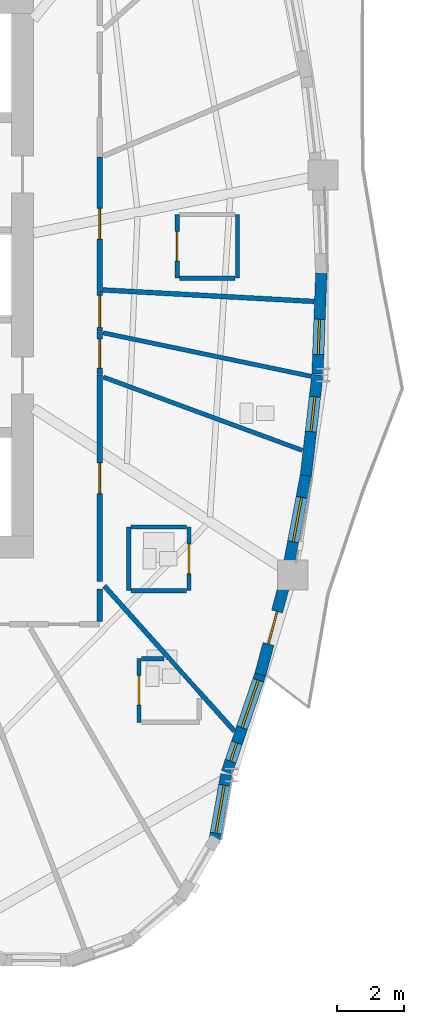
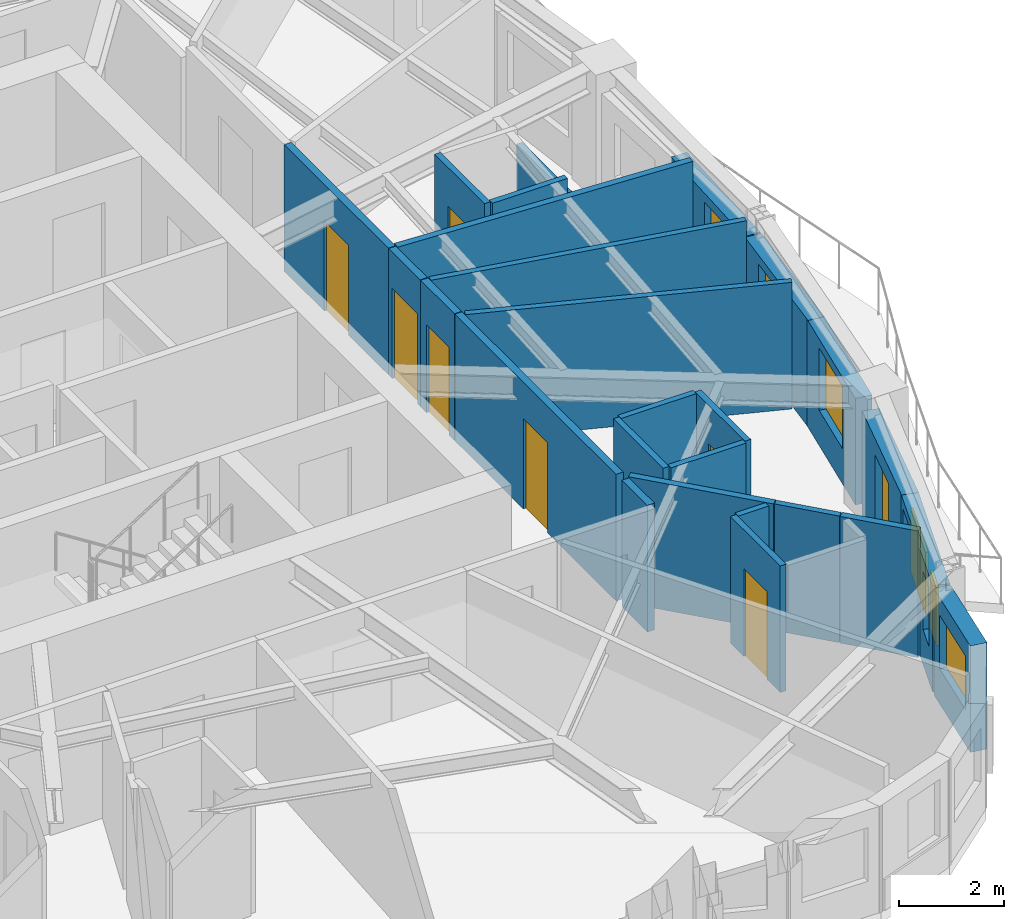
# One storey, part 7 of 13: 26 walls, 8 doors, 6 windows, 14 openings.
"""IFC4 building model written with IfcOpenShell, lengths in metres."""

from ifc_helpers import new_model, si_unit, direction, frame, frame_2d, origin, place, context, subcontext, project, spatial, rectangle, extrude, source, transform, mapped, material, layer, layer_set, type_object, element, fill, save


model = new_model("IFC4")

# Units and contexts
model_context = context("Model", 3, precision=1e-05, world=origin(), true_north=direction((0.0, 1.0)))
body_context = subcontext(model_context, "Body", "Model", "MODEL_VIEW")
ifc_project = project(units=[si_unit("LENGTHUNIT", "METRE"), si_unit("AREAUNIT", "SQUARE_METRE"), si_unit("VOLUMEUNIT", "CUBIC_METRE"), si_unit("PLANEANGLEUNIT", "RADIAN"), si_unit("MASSUNIT", "GRAM", prefix="KILO")], contexts=[model_context])

# Site, building, storey
site_placement = place(None, origin())
site = spatial("IfcSite", under=ifc_project, at=site_placement, CompositionType="ELEMENT")
building_placement = place(site_placement, origin())
building = spatial("IfcBuilding", under=site, at=building_placement, Name="Qafzar Sky-Pleat Residences", CompositionType="ELEMENT")
storey_placement = place(building_placement, frame((0.0, 0.0, 102.39990234375)))
storey = spatial("IfcBuildingStorey", under=building, at=storey_placement, Name="L30", CompositionType="ELEMENT", Elevation=102.39990234375)

# Wall, opening, door
ifc_material_1 = material(Name="Acoustic gypsum plasterboard partition", Category="gypsum")
ifc_layer_1 = layer(ifc_material_1, 0.159912109375)
ifc_layer_set_1 = layer_set([ifc_layer_1], Name="Acoustic gypsum plasterboard partition")
wall_type_1 = type_object("IfcWallType", Name="PART-COR-160", PredefinedType="PARTITIONING", material=ifc_layer_set_1)
wall_1_placement = place(storey_placement, frame((38.530029296875, 23.0048828125, 0.0), z_axis=(0.0, 0.0, 1.0), x_axis=(0.0, -1.0, 0.0)))
wall_1 = element("IfcWall", 1, at=wall_1_placement, inside=storey, type_object=wall_type_1, Name="L30 Partition Wall PART-L30-PW-001", PredefinedType="PARTITIONING", context=body_context, shape_type="SweptSolid", body=[
    extrude(rectangle(XDim=6.156982421875, YDim=0.159912109375, at=frame_2d((3.07861328125, 0.0))), origin(), (0.0, 0.0, 1.0), 2.9501953125),
])
opening_1_placement = place(wall_1_placement, frame((2.615478515625, 0.0, 0.0)))
opening_1 = element("IfcOpeningElement", 2, at=opening_1_placement, cuts=wall_1, Name="Opening ID-04", PredefinedType="OPENING", context=body_context, shape_type="SweptSolid", body=[
    extrude(rectangle(XDim=0.919921875, YDim=2.10009765625, at=frame_2d((0.4599609375, 1.050048828125))), frame((0.0, 0.08984375, 0.0), z_axis=(0.0, -1.0, 0.0), x_axis=(1.0, 0.0, 0.0)), (0.0, 0.0, 1.0), 0.179931640625),
])
ifc_material_2 = material(Name="Timber-faced fire door", Category="wood")
door_type_1 = type_object("IfcDoorType", Name="DR-BED-920", OperationType="NOTDEFINED", PredefinedType="DOOR", material=ifc_material_2)
shared_shape_1 = source(origin(), body_context, "Body", "SweptSolid", [
    extrude(rectangle(XDim=0.919921875, YDim=2.10009765625, at=frame_2d((0.4599609375, 1.050048828125))), frame((0.0, 0.02490234375, 0.0), z_axis=(0.0, -1.0, 0.0), x_axis=(1.0, 0.0, 0.0)), (0.0, 0.0, 1.0), 0.050048828125),
])
door_1_placement = place(opening_1_placement, origin())
door_1 = element("IfcDoor", 3, at=door_1_placement, inside=storey, type_object=door_type_1, Name="L30 Co-Living Bedroom 4 Door", OperationType="SINGLE_SWING_LEFT", OverallHeight=2.10009765625, OverallWidth=0.919921875, PredefinedType="DOOR", context=body_context, shape_type="MappedRepresentation", body=[
    mapped(shared_shape_1, transform((0.0, 0.0, 0.0), x_axis=(1.0, 0.0, 0.0), y_axis=(0.0, 1.0, 0.0), z_axis=(0.0, 0.0, 1.0), scale=1.0)),
])
fill(opening_1, door_1)

wall_2_placement = place(storey_placement, frame((38.530029296875, 29.513916015625, 0.0), z_axis=(0.0, 0.0, 1.0), x_axis=(0.0, -1.0, 0.0)))
wall_2 = element("IfcWall", 4, at=wall_2_placement, inside=storey, type_object=wall_type_1, Name="L30 Partition Wall PART-L30-PW-005", PredefinedType="PARTITIONING", context=body_context, shape_type="SweptSolid", body=[
    extrude(rectangle(XDim=3.973876953125, YDim=0.159912109375, at=frame_2d((1.98681640625, 0.0))), origin(), (0.0, 0.0, 1.0), 2.9501953125),
])
opening_2_placement = place(wall_2_placement, frame((1.528076171875, 0.0, 0.0)))
opening_2 = element("IfcOpeningElement", 5, at=opening_2_placement, cuts=wall_2, Name="Opening ID-04", PredefinedType="OPENING", context=body_context, shape_type="SweptSolid", body=[
    extrude(rectangle(XDim=0.919921875, YDim=2.10009765625, at=frame_2d((0.4599609375, 1.050048828125))), frame((0.0, 0.08984375, 0.0), z_axis=(0.0, -1.0, 0.0), x_axis=(1.0, 0.0, 0.0)), (0.0, 0.0, 1.0), 0.179931640625),
])
door_2_placement = place(opening_2_placement, origin())
door_2 = element("IfcDoor", 6, at=door_2_placement, inside=storey, type_object=door_type_1, Name="L30 Co-Living Bedroom 5 Door", OperationType="SINGLE_SWING_RIGHT", OverallHeight=2.10009765625, OverallWidth=0.919921875, PredefinedType="DOOR", context=body_context, shape_type="MappedRepresentation", body=[
    mapped(shared_shape_1, transform((0.0, 0.0, 0.0), x_axis=(1.0, 0.0, 0.0), y_axis=(0.0, 1.0, 0.0), z_axis=(0.0, 0.0, 1.0), scale=1.0)),
])
fill(opening_2, door_2)

wall_3_placement = place(storey_placement, frame((38.530029296875, 24.305908203125, 0.0), z_axis=(0.0, 0.0, 1.0), x_axis=(0.0, -1.0, 0.0)))
wall_3 = element("IfcWall", 7, at=wall_3_placement, inside=storey, type_object=wall_type_1, Name="L30 Partition Wall PART-L30-PW-029", PredefinedType="PARTITIONING", context=body_context, shape_type="SweptSolid", body=[
    extrude(rectangle(XDim=1.285888671875, YDim=0.159912109375, at=frame_2d((0.64306640625, 0.0))), origin(), (0.0, 0.0, 1.0), 2.9501953125),
])
opening_3_placement = place(wall_3_placement, frame((0.22607421875, 0.0, 0.0)))
opening_3 = element("IfcOpeningElement", 8, at=opening_3_placement, cuts=wall_3, Name="Opening ID-09", PredefinedType="OPENING", context=body_context, shape_type="SweptSolid", body=[
    extrude(rectangle(XDim=0.860107421875, YDim=2.050048828125, at=frame_2d((0.43017578125, 1.02490234375))), frame((0.0, 0.08984375, 0.0), z_axis=(0.0, -1.0, 0.0), x_axis=(1.0, 0.0, 0.0)), (0.0, 0.0, 1.0), 0.179931640625),
])
door_type_2 = type_object("IfcDoorType", Name="DR-SVC-860", OperationType="NOTDEFINED", PredefinedType="DOOR", material=ifc_material_2)
shared_shape_2 = source(origin(), body_context, "Body", "SweptSolid", [
    extrude(rectangle(XDim=0.860107421875, YDim=2.050048828125, at=frame_2d((0.43017578125, 1.02490234375))), frame((0.0, 0.02490234375, 0.0), z_axis=(0.0, -1.0, 0.0), x_axis=(1.0, 0.0, 0.0)), (0.0, 0.0, 1.0), 0.050048828125),
])
door_3_placement = place(opening_3_placement, origin())
door_3 = element("IfcDoor", 9, at=door_3_placement, inside=storey, type_object=door_type_2, Name="L30 Accessible Shared Washroom Door", OperationType="SINGLE_SWING_LEFT", OverallHeight=2.050048828125, OverallWidth=0.860107421875, PredefinedType="DOOR", context=body_context, shape_type="MappedRepresentation", body=[
    mapped(shared_shape_2, transform((0.0, 0.0, 0.0), x_axis=(1.0, 0.0, 0.0), y_axis=(0.0, 1.0, 0.0), z_axis=(0.0, 0.0, 1.0), scale=1.0)),
])
fill(opening_3, door_3)

wall_4_placement = place(storey_placement, frame((38.530029296875, 25.52490234375, 0.0), z_axis=(0.0, 0.0, 1.0), x_axis=(0.0, -1.0, 0.0)))
wall_4 = element("IfcWall", 10, at=wall_4_placement, inside=storey, type_object=wall_type_1, Name="L30 Partition Wall PART-L30-PW-030", PredefinedType="PARTITIONING", context=body_context, shape_type="SweptSolid", body=[
    extrude(rectangle(XDim=1.203857421875, YDim=0.159912109375, at=frame_2d((0.60205078125, 0.0))), origin(), (0.0, 0.0, 1.0), 2.9501953125),
])
opening_4_placement = place(wall_4_placement, frame((0.13427734375, 0.0, 0.0)))
opening_4 = element("IfcOpeningElement", 11, at=opening_4_placement, cuts=wall_4, Name="Opening ID-06", PredefinedType="OPENING", context=body_context, shape_type="SweptSolid", body=[
    extrude(rectangle(XDim=0.9599609375, YDim=2.10009765625, at=frame_2d((0.47998046875, 1.050048828125))), frame((0.0, 0.08984375, 0.0), z_axis=(0.0, -1.0, 0.0), x_axis=(1.0, 0.0, 0.0)), (0.0, 0.0, 1.0), 0.179931640625),
])
door_type_3 = type_object("IfcDoorType", Name="DR-STD-960", OperationType="NOTDEFINED", PredefinedType="DOOR", material=ifc_material_2)
shared_shape_3 = source(origin(), body_context, "Body", "SweptSolid", [
    extrude(rectangle(XDim=0.9599609375, YDim=2.10009765625, at=frame_2d((0.47998046875, 1.050048828125))), frame((0.0, 0.02490234375, 0.0), z_axis=(0.0, -1.0, 0.0), x_axis=(1.0, 0.0, 0.0)), (0.0, 0.0, 1.0), 0.050048828125),
])
door_4_placement = place(opening_4_placement, origin())
door_4 = element("IfcDoor", 12, at=door_4_placement, inside=storey, type_object=door_type_3, Name="L30 Scholar Study Room Door", OperationType="SINGLE_SWING_RIGHT", OverallHeight=2.10009765625, OverallWidth=0.9599609375, PredefinedType="DOOR", context=body_context, shape_type="MappedRepresentation", body=[
    mapped(shared_shape_3, transform((0.0, 0.0, 0.0), x_axis=(1.0, 0.0, 0.0), y_axis=(0.0, 1.0, 0.0), z_axis=(0.0, 0.0, 1.0), scale=1.0)),
])
fill(opening_4, door_4)

# Walls
wall_5_placement = place(storey_placement, frame((38.530029296875, 15.657958984375, 0.0), z_axis=(0.0, 0.0, 1.0), x_axis=(0.0, 1.0, 0.0)))
element("IfcWall", 13, at=wall_5_placement, inside=storey, type_object=wall_type_1, Name="L30 Partition Wall PART-L30-PW-077", PredefinedType="PARTITIONING", context=body_context, shape_type="SweptSolid", body=[
    extrude(rectangle(XDim=0.968994140625, YDim=0.159912109375, at=frame_2d((0.484375, 0.0))), origin(), (0.0, 0.0, 1.0), 2.9501953125),
])
ifc_layer_2 = layer(ifc_material_1, 0.14501953125)
ifc_layer_set_2 = layer_set([ifc_layer_2], Name="Acoustic gypsum plasterboard partition")
wall_type_2 = type_object("IfcWallType", Name="PART-UNIT-145", PredefinedType="PARTITIONING", material=ifc_layer_set_2)
wall_6_placement = place(storey_placement, frame((38.621826171875, 25.550048828125, 0.0), z_axis=(0.0, 0.0, 1.0), x_axis=(0.998518036703, -0.054421782211, 0.0)))
element("IfcWall", 14, at=wall_6_placement, inside=storey, type_object=wall_type_2, Name="L30 Partition Wall PART-L30-PW-045", PredefinedType="PARTITIONING", context=body_context, shape_type="SweptSolid", body=[
    extrude(rectangle(XDim=6.32080078125, YDim=0.14501953125, at=frame_2d((3.160400390625, 0.0))), origin(), (0.0, 0.0, 1.0), 2.9501953125),
])
wall_7_placement = place(storey_placement, frame((38.669189453125, 16.714599609375, 0.0), z_axis=(0.0, 0.0, 1.0), x_axis=(0.667262858083, -0.744822313188, 0.0)))
element("IfcWall", 15, at=wall_7_placement, inside=storey, type_object=wall_type_2, Name="L30 Partition Wall PART-L30-PW-052", PredefinedType="PARTITIONING", context=body_context, shape_type="SweptSolid", body=[
    extrude(rectangle(XDim=2.91162109375, YDim=0.14501953125, at=frame_2d((1.455810546875, 0.0))), origin(), (0.0, 0.0, 1.0), 2.9501953125),
])
wall_8_placement = place(storey_placement, frame((41.50390625, 13.551025390625, 0.0), z_axis=(0.0, 0.0, 1.0), x_axis=(0.667530166935, -0.744582753112, 0.0)))
element("IfcWall", 16, at=wall_8_placement, inside=storey, type_object=wall_type_2, Name="L30 Partition Wall PART-L30-PW-072", PredefinedType="PARTITIONING", context=body_context, shape_type="SweptSolid", body=[
    extrude(rectangle(XDim=1.571533203125, YDim=0.14501953125, at=frame_2d((0.78564453125, 0.0))), origin(), (0.0, 0.0, 1.0), 2.9501953125),
])

# Wall, opening, door
ifc_material_3 = material(Name="Moisture-resistant gypsum partition", Category="gypsum")
ifc_layer_3 = layer(ifc_material_3, 0.1298828125)
ifc_layer_set_3 = layer_set([ifc_layer_3], Name="Moisture-resistant gypsum partition")
wall_type_3 = type_object("IfcWallType", Name="PART-WET-130", PredefinedType="PARTITIONING", material=ifc_layer_set_3)
wall_9_placement = place(storey_placement, frame((39.7041015625, 14.5458984375, 0.0), z_axis=(0.0, 0.0, 1.0), x_axis=(0.0, -1.0, 0.0)))
wall_9 = element("IfcWall", 17, at=wall_9_placement, inside=storey, type_object=wall_type_3, Name="L30 Partition Wall PART-L30-PW-019", PredefinedType="PARTITIONING", context=body_context, shape_type="SweptSolid", body=[
    extrude(rectangle(XDim=1.89990234375, YDim=0.1298828125, at=frame_2d((0.949951171875, 0.0))), origin(), (0.0, 0.0, 1.0), 2.9501953125),
])
opening_5_placement = place(wall_9_placement, frame((0.510009765625, 0.0, 0.0)))
opening_5 = element("IfcOpeningElement", 18, at=opening_5_placement, cuts=wall_9, Name="Opening ID-07", PredefinedType="OPENING", context=body_context, shape_type="SweptSolid", body=[
    extrude(rectangle(XDim=0.8798828125, YDim=2.050048828125, at=frame_2d((0.43994140625, 1.02490234375))), frame((0.0, 0.074951171875, 0.0), z_axis=(0.0, -1.0, 0.0), x_axis=(1.0, 0.0, 0.0)), (0.0, 0.0, 1.0), 0.14990234375),
])
door_type_4 = type_object("IfcDoorType", Name="DR-WET-880", OperationType="NOTDEFINED", PredefinedType="DOOR", material=ifc_material_2)
shared_shape_4 = source(origin(), body_context, "Body", "SweptSolid", [
    extrude(rectangle(XDim=0.8798828125, YDim=2.050048828125, at=frame_2d((0.43994140625, 1.02490234375))), frame((0.0, 0.02490234375, 0.0), z_axis=(0.0, -1.0, 0.0), x_axis=(1.0, 0.0, 0.0)), (0.0, 0.0, 1.0), 0.050048828125),
])
door_5_placement = place(opening_5_placement, origin())
door_5 = element("IfcDoor", 19, at=door_5_placement, inside=storey, type_object=door_type_4, Name="L30 En-suite Bathroom 3 Door", OperationType="SINGLE_SWING_LEFT", OverallHeight=2.050048828125, OverallWidth=0.8798828125, PredefinedType="DOOR", context=body_context, shape_type="MappedRepresentation", body=[
    mapped(shared_shape_4, transform((0.0, 0.0, 0.0), x_axis=(1.0, 0.0, 0.0), y_axis=(0.0, 1.0, 0.0), z_axis=(0.0, 0.0, 1.0), scale=1.0)),
])
fill(opening_5, door_5)

wall_10_placement = place(storey_placement, frame((41.195068359375, 16.575927734375, 0.0), z_axis=(0.0, 0.0, 1.0), x_axis=(0.0, 1.0, 0.0)))
wall_10 = element("IfcWall", 20, at=wall_10_placement, inside=storey, type_object=wall_type_3, Name="L30 Partition Wall PART-L30-PW-020", PredefinedType="PARTITIONING", context=body_context, shape_type="SweptSolid", body=[
    extrude(rectangle(XDim=1.900146484375, YDim=0.1298828125, at=frame_2d((0.9501953125, 0.0))), origin(), (0.0, 0.0, 1.0), 2.9501953125),
])
opening_6_placement = place(wall_10_placement, frame((0.510009765625, 0.0, 0.0)))
opening_6 = element("IfcOpeningElement", 21, at=opening_6_placement, cuts=wall_10, Name="Opening ID-07", PredefinedType="OPENING", context=body_context, shape_type="SweptSolid", body=[
    extrude(rectangle(XDim=0.8798828125, YDim=2.050048828125, at=frame_2d((0.43994140625, 1.02490234375))), frame((0.0, 0.074951171875, 0.0), z_axis=(0.0, -1.0, 0.0), x_axis=(1.0, 0.0, 0.0)), (0.0, 0.0, 1.0), 0.14990234375),
])
door_6_placement = place(opening_6_placement, origin())
door_6 = element("IfcDoor", 22, at=door_6_placement, inside=storey, type_object=door_type_4, Name="L30 En-suite Bathroom 4 Door", OperationType="SINGLE_SWING_RIGHT", OverallHeight=2.050048828125, OverallWidth=0.8798828125, PredefinedType="DOOR", context=body_context, shape_type="MappedRepresentation", body=[
    mapped(shared_shape_4, transform((0.0, 0.0, 0.0), x_axis=(1.0, 0.0, 0.0), y_axis=(0.0, 1.0, 0.0), z_axis=(0.0, 0.0, 1.0), scale=1.0)),
])
fill(opening_6, door_6)

wall_11_placement = place(storey_placement, frame((40.842041015625, 27.802001953125, 0.0), z_axis=(0.0, 0.0, 1.0), x_axis=(0.0, -1.0, 0.0)))
wall_11 = element("IfcWall", 23, at=wall_11_placement, inside=storey, type_object=wall_type_3, Name="L30 Partition Wall PART-L30-PW-021", PredefinedType="PARTITIONING", context=body_context, shape_type="SweptSolid", body=[
    extrude(rectangle(XDim=1.89990234375, YDim=0.1298828125, at=frame_2d((0.949951171875, 0.0))), origin(), (0.0, 0.0, 1.0), 2.9501953125),
])
opening_7_placement = place(wall_11_placement, frame((0.510009765625, 0.0, 0.0)))
opening_7 = element("IfcOpeningElement", 24, at=opening_7_placement, cuts=wall_11, Name="Opening ID-07", PredefinedType="OPENING", context=body_context, shape_type="SweptSolid", body=[
    extrude(rectangle(XDim=0.8798828125, YDim=2.050048828125, at=frame_2d((0.43994140625, 1.02490234375))), frame((0.0, 0.074951171875, 0.0), z_axis=(0.0, -1.0, 0.0), x_axis=(1.0, 0.0, 0.0)), (0.0, 0.0, 1.0), 0.14990234375),
])
door_7_placement = place(opening_7_placement, origin())
door_7 = element("IfcDoor", 25, at=door_7_placement, inside=storey, type_object=door_type_4, Name="L30 En-suite Bathroom 5 Door", OperationType="SINGLE_SWING_LEFT", OverallHeight=2.050048828125, OverallWidth=0.8798828125, PredefinedType="DOOR", context=body_context, shape_type="MappedRepresentation", body=[
    mapped(shared_shape_4, transform((0.0, 0.0, 0.0), x_axis=(1.0, 0.0, 0.0), y_axis=(0.0, 1.0, 0.0), z_axis=(0.0, 0.0, 1.0), scale=1.0)),
])
fill(opening_7, door_7)

# Walls
wall_12_placement = place(storey_placement, frame((38.639892578125, 22.948486328125, 0.0), z_axis=(0.0, 0.0, 1.0), x_axis=(0.938426101424, -0.3454800315, 0.0)))
element("IfcWall", 26, at=wall_12_placement, inside=storey, type_object=wall_type_3, Name="L30 Partition Wall PART-L30-PW-043", PredefinedType="PARTITIONING", context=body_context, shape_type="SweptSolid", body=[
    extrude(rectangle(XDim=6.326904296875, YDim=0.1298828125, at=frame_2d((3.16357421875, 0.0))), origin(), (0.0, 0.0, 1.0), 2.9501953125),
])
wall_13_placement = place(storey_placement, frame((38.631103515625, 24.27001953125, 0.0), z_axis=(0.0, 0.0, 1.0), x_axis=(0.978856283814, -0.204549201019, 0.0)))
element("IfcWall", 27, at=wall_13_placement, inside=storey, type_object=wall_type_3, Name="L30 Partition Wall PART-L30-PW-044", PredefinedType="PARTITIONING", context=body_context, shape_type="SweptSolid", body=[
    extrude(rectangle(XDim=6.34130859375, YDim=0.1298828125, at=frame_2d((3.170654296875, 0.0))), origin(), (0.0, 0.0, 1.0), 2.9501953125),
])
wall_14_placement = place(storey_placement, frame((39.39501953125, 16.575927734375, 0.0), z_axis=(0.0, 0.0, 1.0), x_axis=(0.0, 1.0, 0.0)))
element("IfcWall", 28, at=wall_14_placement, inside=storey, type_object=wall_type_3, Name="L30 Partition Wall PART-L30-PW-057", PredefinedType="PARTITIONING", context=body_context, shape_type="SweptSolid", body=[
    extrude(rectangle(XDim=1.900146484375, YDim=0.1298828125, at=frame_2d((0.9501953125, 0.0))), origin(), (0.0, 0.0, 1.0), 2.9501953125),
])
wall_15_placement = place(storey_placement, frame((42.64208984375, 25.902099609375, 0.0), z_axis=(0.0, 0.0, 1.0), x_axis=(0.0, 1.0, 0.0)))
element("IfcWall", 29, at=wall_15_placement, inside=storey, type_object=wall_type_3, Name="L30 Partition Wall PART-L30-PW-058", PredefinedType="PARTITIONING", context=body_context, shape_type="SweptSolid", body=[
    extrude(rectangle(XDim=1.89990234375, YDim=0.1298828125, at=frame_2d((0.949951171875, 0.0))), origin(), (0.0, 0.0, 1.0), 2.55810546875),
])
for number, where, z_axis, x_axis, name in (
    (30, (40.9150390625, 25.902099609375, 0.0), (0.0, 0.0, 1.0), (1.0, 0.0, 0.0), "L30 Partition Wall PART-L30-PW-062"),
    (31, (39.468017578125, 18.47607421875, 0.0), (0.0, 0.0, 1.0), (1.0, 0.0, 0.0), "L30 Partition Wall PART-L30-PW-069"),
    (32, (39.468017578125, 16.575927734375, 0.0), (0.0, 0.0, 1.0), (1.0, 0.0, 0.0), "L30 Partition Wall PART-L30-PW-070"),
):
    element("IfcWall", number, at=place(storey_placement, frame(where, z_axis=z_axis, x_axis=x_axis)), inside=storey, type_object=wall_type_3, Name=name, PredefinedType="PARTITIONING", context=body_context, shape_type="SweptSolid", body=[
        extrude(rectangle(XDim=1.654052734375, YDim=0.1298828125, at=frame_2d((0.8271484375, 0.0))), origin(), (0.0, 0.0, 1.0), 2.9501953125),
    ])
wall_16_placement = place(storey_placement, frame((40.6220703125, 14.534912109375, 0.0), z_axis=(0.0, 0.0, 1.0), x_axis=(0.667455683483, -0.744649521981, 0.0)))
element("IfcWall", 33, at=wall_16_placement, inside=storey, type_object=wall_type_3, Name="L30 Partition Wall PART-L30-PW-076", PredefinedType="PARTITIONING", context=body_context, shape_type="SweptSolid", body=[
    extrude(rectangle(XDim=1.30615234375, YDim=0.1298828125, at=frame_2d((0.653076171875, 0.0))), origin(), (0.0, 0.0, 1.0), 2.9501953125),
])
wall_17_placement = place(storey_placement, frame((39.777099609375, 14.5458984375, 0.0), z_axis=(0.0, 0.0, 1.0), x_axis=(1.0, 0.0, 0.0)))
element("IfcWall", 34, at=wall_17_placement, inside=storey, type_object=wall_type_3, Name="L30 Partition Wall PART-L30-PW-083", PredefinedType="PARTITIONING", context=body_context, shape_type="SweptSolid", body=[
    extrude(rectangle(XDim=0.67138671875, YDim=0.1298828125, at=frame_2d((0.335693359375, 0.0))), origin(), (0.0, 0.0, 1.0), 2.9501953125),
])

# Wall, opening, window
ifc_material_4 = material(Name="Precast concrete C40/50 with honed Riyadh limestone", Category="concrete")
ifc_layer_4 = layer(ifc_material_4, 0.340087890625)
ifc_layer_set_4 = layer_set([ifc_layer_4], Name="Precast concrete C40/50 with honed Riyadh limestone")
wall_type_4 = type_object("IfcWallType", Name="WALL-EXT-340", PredefinedType="SOLIDWALL", material=ifc_layer_set_4)
wall_18_placement = place(storey_placement, frame((41.95068359375, 9.076904296875, 0.0), z_axis=(0.0, 0.0, 1.0), x_axis=(0.174399433509, 0.984674990843, 0.0)))
wall_18 = element("IfcWall", 35, at=wall_18_placement, inside=storey, type_object=wall_type_4, Name="L30 Limestone Facade Wall 22", PredefinedType="SOLIDWALL", context=body_context, shape_type="SweptSolid", body=[
    extrude(rectangle(XDim=2.041015625, YDim=0.340087890625, at=frame_2d((1.0205078125, 0.0))), origin(), (0.0, 0.0, 1.0), 2.47998046875),
])
opening_8_placement = place(wall_18_placement, frame((0.265380859375, 0.0, 0.820068359375)))
opening_8 = element("IfcOpeningElement", 36, at=opening_8_placement, cuts=wall_18, Name="Opening WN-15", PredefinedType="OPENING", context=body_context, shape_type="SweptSolid", body=[
    extrude(rectangle(XDim=1.449951171875, YDim=1.25, at=frame_2d((0.72509765625, 0.625))), frame((0.0, 0.18017578125, 0.0), z_axis=(0.0, -1.0, 0.0), x_axis=(1.0, 0.0, 0.0)), (0.0, 0.0, 1.0), 0.360107421875),
])
ifc_material_5 = material(Name="Solar-control low-E glass in bronze aluminium frame", Category="glass")
window_type_1 = type_object("IfcWindowType", Name="WIN-15", PartitioningType="SINGLE_PANEL", PredefinedType="WINDOW", material=ifc_material_5)
shared_shape_5 = source(origin(), body_context, "Body", "SweptSolid", [
    extrude(rectangle(XDim=1.449951171875, YDim=1.25, at=frame_2d((0.72509765625, 0.625))), frame((0.0, 0.030029296875, 0.0), z_axis=(0.0, -1.0, 0.0), x_axis=(1.0, 0.0, 0.0)), (0.0, 0.0, 1.0), 0.06005859375),
])
window_1_placement = place(opening_8_placement, origin())
window_1 = element("IfcWindow", 37, at=window_1_placement, inside=storey, type_object=window_type_1, Name="L30 Punched Facade Window 22", OverallHeight=1.25, OverallWidth=1.449951171875, PartitioningType="SINGLE_PANEL", PredefinedType="WINDOW", context=body_context, shape_type="MappedRepresentation", body=[
    mapped(shared_shape_5, transform((0.0, 0.0, 0.0), x_axis=(1.0, 0.0, 0.0), y_axis=(0.0, 1.0, 0.0), z_axis=(0.0, 0.0, 1.0), scale=1.0)),
])
fill(opening_8, window_1)

# Wall, openings, windows
wall_19_placement = place(storey_placement, frame((42.322998046875, 11.150634765625, 0.0), z_axis=(0.0, 0.0, 1.0), x_axis=(0.323606092462, 0.94619189223, 0.0)))
wall_19 = element("IfcWall", 38, at=wall_19_placement, inside=storey, type_object=wall_type_4, Name="L30 Limestone Facade Wall 23", PredefinedType="SOLIDWALL", context=body_context, shape_type="SweptSolid", body=[
    extrude(rectangle(XDim=3.17236328125, YDim=0.340087890625, at=frame_2d((1.586181640625, 0.0))), origin(), (0.0, 0.0, 1.0), 2.47998046875),
])
opening_9_placement = place(wall_19_placement, frame((0.35302734375, 0.0, 0.820068359375)))
opening_9 = element("IfcOpeningElement", 39, at=opening_9_placement, cuts=wall_19, Name="Opening WN-17", PredefinedType="OPENING", context=body_context, shape_type="SweptSolid", body=[
    extrude(rectangle(XDim=0.580078125, YDim=1.35009765625, at=frame_2d((0.2900390625, 0.675048828125))), frame((0.0, 0.18017578125, 0.0), z_axis=(0.0, -1.0, 0.0), x_axis=(1.0, 0.0, 0.0)), (0.0, 0.0, 1.0), 0.360107421875),
])
opening_10_placement = place(wall_19_placement, frame((1.40966796875, 0.0, 0.820068359375)))
opening_10 = element("IfcOpeningElement", 40, at=opening_10_placement, cuts=wall_19, Name="Opening WN-03", PredefinedType="OPENING", context=body_context, shape_type="SweptSolid", body=[
    extrude(rectangle(XDim=1.5, YDim=1.449951171875, at=frame_2d((0.75, 0.72509765625))), frame((0.0, 0.18017578125, 0.0), z_axis=(0.0, -1.0, 0.0), x_axis=(1.0, 0.0, 0.0)), (0.0, 0.0, 1.0), 0.360107421875),
])
window_type_2 = type_object("IfcWindowType", Name="WIN-17", PartitioningType="SINGLE_PANEL", PredefinedType="WINDOW", material=ifc_material_5)
shared_shape_6 = source(origin(), body_context, "Body", "SweptSolid", [
    extrude(rectangle(XDim=0.580078125, YDim=1.35009765625, at=frame_2d((0.2900390625, 0.675048828125))), frame((0.0, 0.030029296875, 0.0), z_axis=(0.0, -1.0, 0.0), x_axis=(1.0, 0.0, 0.0)), (0.0, 0.0, 1.0), 0.06005859375),
])
window_2_placement = place(opening_9_placement, origin())
window_2 = element("IfcWindow", 41, at=window_2_placement, inside=storey, type_object=window_type_2, Name="L30 Punched Facade Window 23", OverallHeight=1.35009765625, OverallWidth=0.580078125, PartitioningType="SINGLE_PANEL", PredefinedType="WINDOW", context=body_context, shape_type="MappedRepresentation", body=[
    mapped(shared_shape_6, transform((0.0, 0.0, 0.0), x_axis=(1.0, 0.0, 0.0), y_axis=(0.0, 1.0, 0.0), z_axis=(0.0, 0.0, 1.0), scale=1.0)),
])
fill(opening_9, window_2)
window_type_3 = type_object("IfcWindowType", Name="WIN-03", PartitioningType="DOUBLE_PANEL_VERTICAL", PredefinedType="WINDOW", material=ifc_material_5)
shared_shape_7 = source(origin(), body_context, "Body", "SweptSolid", [
    extrude(rectangle(XDim=1.5, YDim=1.449951171875, at=frame_2d((0.75, 0.72509765625))), frame((0.0, 0.030029296875, 0.0), z_axis=(0.0, -1.0, 0.0), x_axis=(1.0, 0.0, 0.0)), (0.0, 0.0, 1.0), 0.06005859375),
])
window_3_placement = place(opening_10_placement, origin())
window_3 = element("IfcWindow", 42, at=window_3_placement, inside=storey, type_object=window_type_3, Name="L30 Punched Facade Window 23-2", OverallHeight=1.449951171875, OverallWidth=1.5, PartitioningType="SINGLE_PANEL", PredefinedType="WINDOW", context=body_context, shape_type="MappedRepresentation", body=[
    mapped(shared_shape_7, transform((0.0, 0.0, 0.0), x_axis=(1.0, 0.0, 0.0), y_axis=(0.0, 1.0, 0.0), z_axis=(0.0, 0.0, 1.0), scale=1.0)),
])
fill(opening_10, window_3)

# Wall, opening, door
wall_20_placement = place(storey_placement, frame((43.32421875, 14.068359375, 0.0), z_axis=(0.0, 0.0, 1.0), x_axis=(0.257085513118, 0.966388658328, 0.0)))
wall_20 = element("IfcWall", 43, at=wall_20_placement, inside=storey, type_object=wall_type_4, Name="L30 Limestone Facade Wall 24", PredefinedType="SOLIDWALL", context=body_context, shape_type="SweptSolid", body=[
    extrude(rectangle(XDim=2.896484375, YDim=0.340087890625, at=frame_2d((1.4482421875, 0.0))), origin(), (0.0, 0.0, 1.0), 2.47998046875),
])
opening_11_placement = place(wall_20_placement, frame((0.9482421875, 0.0, 0.0)))
opening_11 = element("IfcOpeningElement", 44, at=opening_11_placement, cuts=wall_20, Name="Opening ED-05", PredefinedType="OPENING", context=body_context, shape_type="SweptSolid", body=[
    extrude(rectangle(XDim=1.0, YDim=2.10009765625, at=frame_2d((0.5, 1.050048828125))), frame((0.0, 0.18017578125, 0.0), z_axis=(0.0, -1.0, 0.0), x_axis=(1.0, 0.0, 0.0)), (0.0, 0.0, 1.0), 0.360107421875),
])
ifc_material_6 = material(Name="Glazed bronze aluminium door", Category="aluminium")
door_type_5 = type_object("IfcDoorType", Name="DR-BAL-1000", OperationType="NOTDEFINED", PredefinedType="DOOR", material=ifc_material_6)
shared_shape_8 = source(origin(), body_context, "Body", "SweptSolid", [
    extrude(rectangle(XDim=1.0, YDim=2.10009765625, at=frame_2d((0.5, 1.050048828125))), frame((0.0, 0.02490234375, 0.0), z_axis=(0.0, -1.0, 0.0), x_axis=(1.0, 0.0, 0.0)), (0.0, 0.0, 1.0), 0.050048828125),
])
door_8_placement = place(opening_11_placement, origin())
door_8 = element("IfcDoor", 45, at=door_8_placement, inside=storey, type_object=door_type_5, Name="L30 Glazed Balcony Door 1", OperationType="SINGLE_SWING_LEFT", OverallHeight=2.10009765625, OverallWidth=1.0, PredefinedType="DOOR", context=body_context, shape_type="MappedRepresentation", body=[
    mapped(shared_shape_8, transform((0.0, 0.0, 0.0), x_axis=(1.0, 0.0, 0.0), y_axis=(0.0, 1.0, 0.0), z_axis=(0.0, 0.0, 1.0), scale=1.0)),
])
fill(opening_11, door_8)

# Wall, opening, window
wall_21_placement = place(storey_placement, frame((44.168212890625, 17.3037109375, 0.0), z_axis=(0.0, 0.0, 1.0), x_axis=(0.186654850509, 0.982425552793, 0.0)))
wall_21 = element("IfcWall", 46, at=wall_21_placement, inside=storey, type_object=wall_type_4, Name="L30 Limestone Facade Wall 25", PredefinedType="SOLIDWALL", context=body_context, shape_type="SweptSolid", body=[
    extrude(rectangle(XDim=2.84619140625, YDim=0.340087890625, at=frame_2d((1.423095703125, 0.0))), origin(), (0.0, 0.0, 1.0), 2.47998046875),
])
opening_12_placement = place(wall_21_placement, frame((0.742919921875, 0.0, 0.820068359375)))
opening_12 = element("IfcOpeningElement", 47, at=opening_12_placement, cuts=wall_21, Name="Opening WN-04", PredefinedType="OPENING", context=body_context, shape_type="SweptSolid", body=[
    extrude(rectangle(XDim=1.35009765625, YDim=1.449951171875, at=frame_2d((0.675048828125, 0.72509765625))), frame((0.0, 0.18017578125, 0.0), z_axis=(0.0, -1.0, 0.0), x_axis=(1.0, 0.0, 0.0)), (0.0, 0.0, 1.0), 0.360107421875),
])
window_type_4 = type_object("IfcWindowType", Name="WIN-04", PartitioningType="SINGLE_PANEL", PredefinedType="WINDOW", material=ifc_material_5)
shared_shape_9 = source(origin(), body_context, "Body", "SweptSolid", [
    extrude(rectangle(XDim=1.35009765625, YDim=1.449951171875, at=frame_2d((0.675048828125, 0.72509765625))), frame((0.0, 0.030029296875, 0.0), z_axis=(0.0, -1.0, 0.0), x_axis=(1.0, 0.0, 0.0)), (0.0, 0.0, 1.0), 0.06005859375),
])
window_4_placement = place(opening_12_placement, origin())
window_4 = element("IfcWindow", 48, at=window_4_placement, inside=storey, type_object=window_type_4, Name="L30 Punched Facade Window 25", OverallHeight=1.449951171875, OverallWidth=1.35009765625, PartitioningType="SINGLE_PANEL", PredefinedType="WINDOW", context=body_context, shape_type="MappedRepresentation", body=[
    mapped(shared_shape_9, transform((0.0, 0.0, 0.0), x_axis=(1.0, 0.0, 0.0), y_axis=(0.0, 1.0, 0.0), z_axis=(0.0, 0.0, 1.0), scale=1.0)),
])
fill(opening_12, window_4)

wall_22_placement = place(storey_placement, frame((44.68603515625, 20.01220703125, 0.0), z_axis=(0.0, 0.0, 1.0), x_axis=(0.113268604106, 0.993564403209, 0.0)))
wall_22 = element("IfcWall", 49, at=wall_22_placement, inside=storey, type_object=wall_type_4, Name="L30 Limestone Facade Wall 26", PredefinedType="SOLIDWALL", context=body_context, shape_type="SweptSolid", body=[
    extrude(rectangle(XDim=3.02197265625, YDim=0.340087890625, at=frame_2d((1.510986328125, 0.0))), origin(), (0.0, 0.0, 1.0), 2.47998046875),
])
opening_13_placement = place(wall_22_placement, frame((1.31591796875, 0.0, 0.820068359375)))
opening_13 = element("IfcOpeningElement", 50, at=opening_13_placement, cuts=wall_22, Name="Opening WN-06", PredefinedType="OPENING", context=body_context, shape_type="SweptSolid", body=[
    extrude(rectangle(XDim=1.050048828125, YDim=1.449951171875, at=frame_2d((0.52490234375, 0.72509765625))), frame((0.0, 0.18017578125, 0.0), z_axis=(0.0, -1.0, 0.0), x_axis=(1.0, 0.0, 0.0)), (0.0, 0.0, 1.0), 0.360107421875),
])
window_type_5 = type_object("IfcWindowType", Name="WIN-06", PartitioningType="SINGLE_PANEL", PredefinedType="WINDOW", material=ifc_material_5)
shared_shape_10 = source(origin(), body_context, "Body", "SweptSolid", [
    extrude(rectangle(XDim=1.050048828125, YDim=1.449951171875, at=frame_2d((0.52490234375, 0.72509765625))), frame((0.0, 0.030029296875, 0.0), z_axis=(0.0, -1.0, 0.0), x_axis=(1.0, 0.0, 0.0)), (0.0, 0.0, 1.0), 0.06005859375),
])
window_5_placement = place(opening_13_placement, origin())
window_5 = element("IfcWindow", 51, at=window_5_placement, inside=storey, type_object=window_type_5, Name="L30 Punched Facade Window 26-2", OverallHeight=1.449951171875, OverallWidth=1.050048828125, PartitioningType="SINGLE_PANEL", PredefinedType="WINDOW", context=body_context, shape_type="MappedRepresentation", body=[
    mapped(shared_shape_10, transform((0.0, 0.0, 0.0), x_axis=(1.0, 0.0, 0.0), y_axis=(0.0, 1.0, 0.0), z_axis=(0.0, 0.0, 1.0), scale=1.0)),
])
fill(opening_13, window_5)

wall_23_placement = place(storey_placement, frame((45.030517578125, 23.041748046875, 0.0), z_axis=(0.0, 0.0, 1.0), x_axis=(0.037943223979, 0.999279896603, 0.0)))
wall_23 = element("IfcWall", 52, at=wall_23_placement, inside=storey, type_object=wall_type_4, Name="L30 Limestone Facade Wall 27", PredefinedType="SOLIDWALL", context=body_context, shape_type="SweptSolid", body=[
    extrude(rectangle(XDim=3.0048828125, YDim=0.340087890625, at=frame_2d((1.50244140625, 0.0))), origin(), (0.0, 0.0, 1.0), 2.47998046875),
])
opening_14_placement = place(wall_23_placement, frame((0.58447265625, 0.0, 0.820068359375)))
opening_14 = element("IfcOpeningElement", 53, at=opening_14_placement, cuts=wall_23, Name="Opening WN-06", PredefinedType="OPENING", context=body_context, shape_type="SweptSolid", body=[
    extrude(rectangle(XDim=1.050048828125, YDim=1.449951171875, at=frame_2d((0.52490234375, 0.72509765625))), frame((0.0, 0.18017578125, 0.0), z_axis=(0.0, -1.0, 0.0), x_axis=(1.0, 0.0, 0.0)), (0.0, 0.0, 1.0), 0.360107421875),
])
window_6_placement = place(opening_14_placement, origin())
window_6 = element("IfcWindow", 54, at=window_6_placement, inside=storey, type_object=window_type_5, Name="L30 Punched Facade Window 27", OverallHeight=1.449951171875, OverallWidth=1.050048828125, PartitioningType="SINGLE_PANEL", PredefinedType="WINDOW", context=body_context, shape_type="MappedRepresentation", body=[
    mapped(shared_shape_10, transform((0.0, 0.0, 0.0), x_axis=(1.0, 0.0, 0.0), y_axis=(0.0, 1.0, 0.0), z_axis=(0.0, 0.0, 1.0), scale=1.0)),
])
fill(opening_14, window_6)

save(model, "model.ifc")
